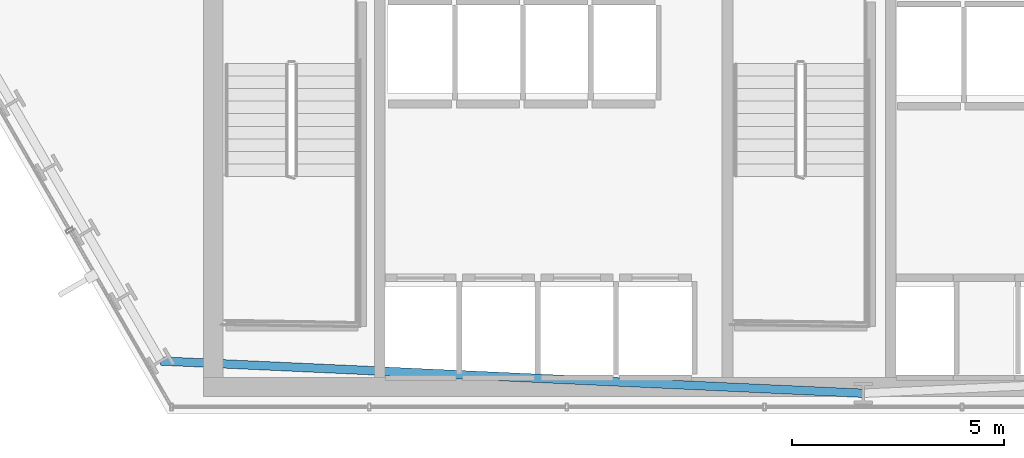
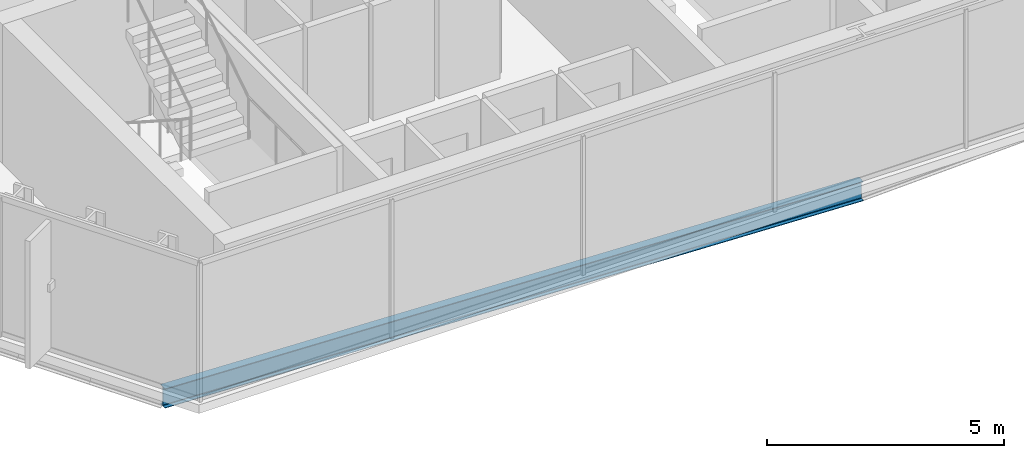
# One storey, part 4 of 33: 1 beam.
"""IFC4 building model written with IfcOpenShell, lengths in metres."""

from ifc_helpers import new_model, si_unit, direction, frame, origin, origin_2d, place, context, subcontext, project, spatial, i_section, extrude, material, material_profile, profile_set, type_object, element, save


model = new_model("IFC4")

# Units and contexts
model_context = context("Model", 3, precision=1e-05, world=origin(), true_north=direction((0.0, 1.0)))
body_context = subcontext(model_context, "Body", "Model", "MODEL_VIEW")
ifc_project = project(units=[si_unit("LENGTHUNIT", "METRE"), si_unit("AREAUNIT", "SQUARE_METRE"), si_unit("VOLUMEUNIT", "CUBIC_METRE"), si_unit("PLANEANGLEUNIT", "RADIAN"), si_unit("MASSUNIT", "GRAM", prefix="KILO")], contexts=[model_context])

# Site, building, storey
site_placement = place(None, origin())
site = spatial("IfcSite", under=ifc_project, at=site_placement, CompositionType="ELEMENT")
building_placement = place(site_placement, origin())
building = spatial("IfcBuilding", under=site, at=building_placement, Name="Ndaravel Arena Tower", CompositionType="ELEMENT")
storey_placement = place(building_placement, frame((0.0, 0.0, 85.39990234375)))
storey = spatial("IfcBuildingStorey", under=building, at=storey_placement, Name="L19", CompositionType="ELEMENT", Elevation=85.39990234375)

# Beam
ifc_material = material(Name="Steel S355", Category="steel")
ifc_material_profile = material_profile(ifc_material, i_section(OverallWidth=0.199951171875, OverallDepth=0.5, WebThickness=0.01025390625, FlangeThickness=0.01611328125, FilletRadius=0.02099609375, at=origin_2d()), Name="IPE 500")
ifc_profile_set = profile_set([ifc_material_profile], Name="Steel S355")
beam_type = type_object("IfcBeamType", Name="BM-SPAN-IPE500", PredefinedType="SPANDREL", material=ifc_profile_set)
beam_placement = place(storey_placement, frame((25.436767578125, 6.240478515625, -0.469970703125), z_axis=(0.998947577789, -0.045866510986, 0.0), x_axis=(0.045866510986, 0.998947577789, 0.0)))
element("IfcBeam", 1, at=beam_placement, inside=storey, type_object=beam_type, Name="L19 Perimeter Spandrel Beam SP-27", PredefinedType="SPANDREL", context=body_context, shape_type="SweptSolid", body=[
    extrude(i_section(OverallWidth=0.199951171875, OverallDepth=0.5, WebThickness=0.01025390625, FlangeThickness=0.01611328125, FilletRadius=0.02099609375, at=origin_2d()), origin(), (0.0, 0.0, 1.0), 16.58056640625),
])

save(model, "model.ifc")
